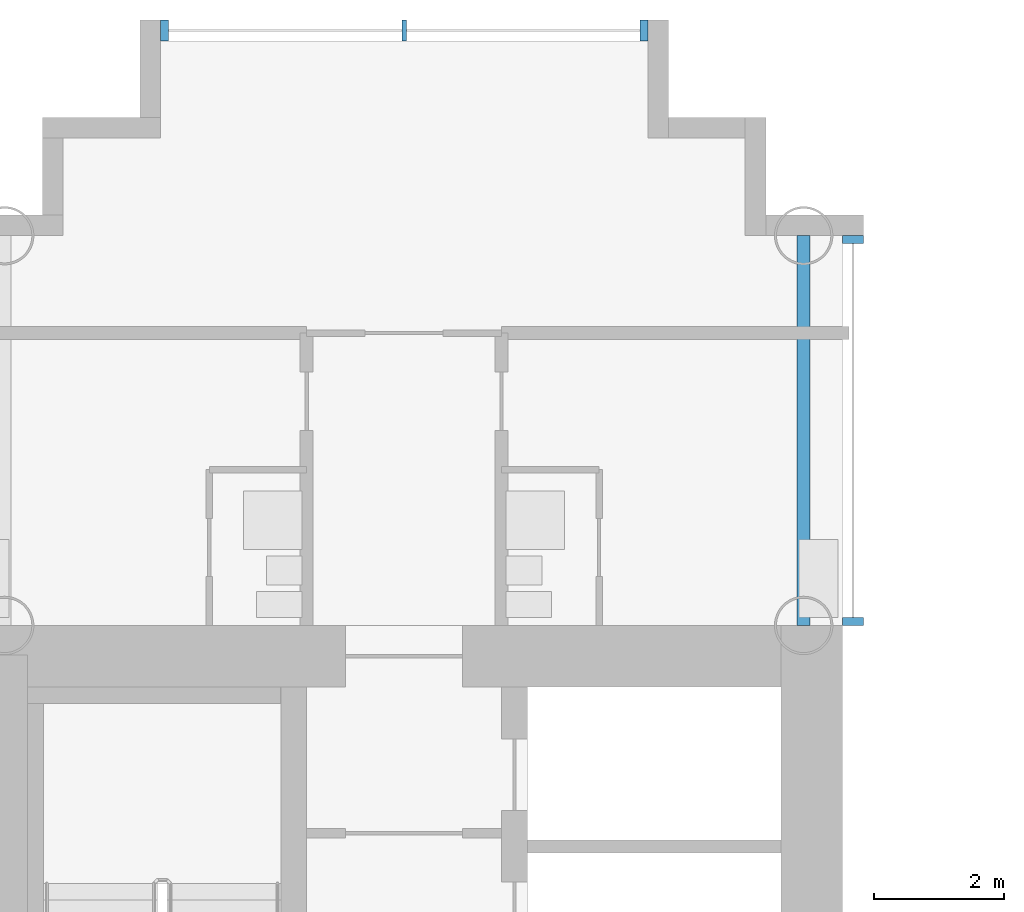
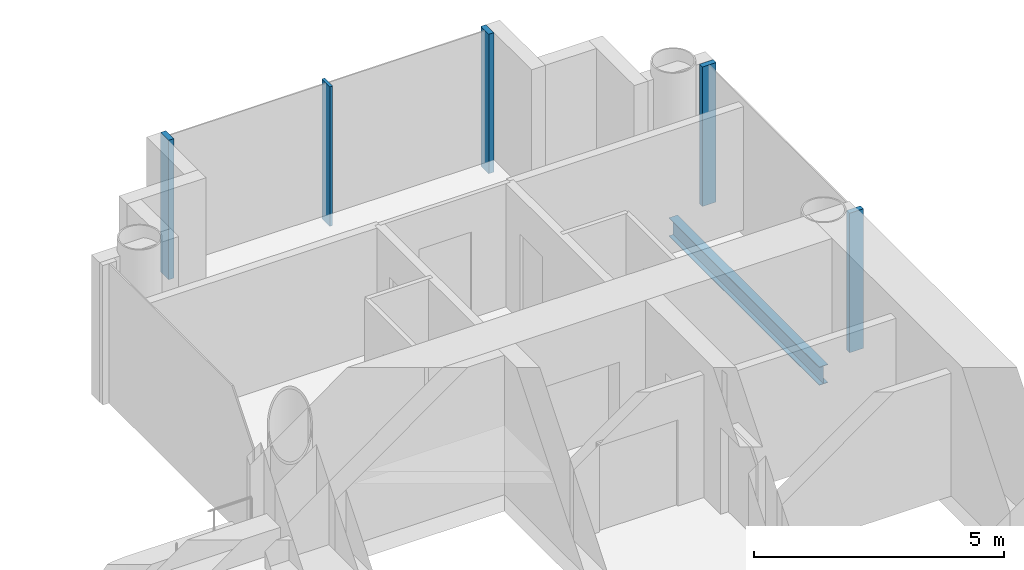
# One storey, part 6 of 21: 5 members, 1 beam, 2 elements without a shape of their own.
"""IFC4 building model written with IfcOpenShell, lengths in metres."""

from ifc_helpers import new_model, si_unit, direction, frame, origin, origin_2d, place, context, subcontext, project, spatial, rectangle, i_section, extrude, material, layer, layer_set, material_profile, profile_set, type_object, element, aggregate, save


model = new_model("IFC4")

# Units and contexts
model_context = context("Model", 3, precision=1e-05, world=origin(), true_north=direction((0.0, 1.0)))
body_context = subcontext(model_context, "Body", "Model", "MODEL_VIEW")
ifc_project = project(units=[si_unit("LENGTHUNIT", "METRE"), si_unit("AREAUNIT", "SQUARE_METRE"), si_unit("VOLUMEUNIT", "CUBIC_METRE"), si_unit("PLANEANGLEUNIT", "RADIAN"), si_unit("MASSUNIT", "GRAM", prefix="KILO")], contexts=[model_context])

# Site, building, storey
site_placement = place(None, origin())
site = spatial("IfcSite", under=ifc_project, at=site_placement, CompositionType="ELEMENT")
building_placement = place(site_placement, origin())
building = spatial("IfcBuilding", under=site, at=building_placement, Name="Ipe Terrace Towers", CompositionType="ELEMENT")
storey_placement = place(building_placement, frame((0.0, 0.0, 103.800048828125)))
storey = spatial("IfcBuildingStorey", under=building, at=storey_placement, Name="L28", CompositionType="ELEMENT", Elevation=103.800048828125)

# Beam
ifc_material_1 = material(Name="Steel S355", Category="steel")
ifc_material_profile_1 = material_profile(ifc_material_1, i_section(OverallWidth=0.199951171875, OverallDepth=0.449951171875, WebThickness=0.009033203125, FlangeThickness=0.013916015625, at=origin_2d()), Name="H-450x200x9x14")
ifc_profile_set_1 = profile_set([ifc_material_profile_1], Name="Steel S355")
beam_type = type_object("IfcBeamType", Name="H08 EDGE BEAM H-450x200x9x14", PredefinedType="BEAM", material=ifc_profile_set_1)
beam_placement = place(storey_placement, frame((42.14990234375, 15.75, -0.625), z_axis=(0.0, 1.0, 0.0), x_axis=(-1.0, 0.0, 0.0)))
element("IfcBeam", 1, at=beam_placement, inside=storey, type_object=beam_type, Name="Edge beam T2-EB-A01-A03", PredefinedType="BEAM", context=body_context, shape_type="SweptSolid", body=[
    extrude(i_section(OverallWidth=0.199951171875, OverallDepth=0.449951171875, WebThickness=0.009033203125, FlangeThickness=0.013916015625, at=origin_2d()), origin(), (0.0, 0.0, 1.0), 6.0),
])

# Curtain wall, members
ifc_material_2 = material(Name="Aluminium alloy 6063-T6", Category="aluminium")
ifc_layer = layer(ifc_material_2, 0.320068359375)
ifc_layer_set = layer_set([ifc_layer], Name="TOWER UNITISED CURTAIN WALL")
curtain_wall_type = type_object("IfcCurtainWallType", Name="TOWER UNITISED CURTAIN WALL", PredefinedType="NOTDEFINED", material=ifc_layer_set)
curtain_wall_1_placement = place(storey_placement, origin())
curtain_wall_1 = element("IfcCurtainWall", 2, at=curtain_wall_1_placement, inside=storey, type_object=curtain_wall_type, Name="T2-CW-L28-16b curtain wall", PredefinedType="NOTDEFINED")
ifc_material_3 = material(Name="Aluminium alloy 6063-T6", Category="aluminium")
ifc_material_profile_2 = material_profile(ifc_material_3, rectangle(XDim=0.320068359375, YDim=0.1201171875, at=origin_2d()), Name="TOWER UNITISED CORNER MULLION 320 x 120")
ifc_profile_set_2 = profile_set([ifc_material_profile_2], Name="Aluminium alloy 6063-T6")
member_type_1 = type_object("IfcMemberType", Name="TOWER UNITISED CORNER MULLION 320 x 120", PredefinedType="MULLION", material=ifc_profile_set_2)
member_1_placement = place(storey_placement, frame((42.909912109375, 15.81103515625, -0.300048828125), z_axis=(0.0, 0.0, 1.0), x_axis=(1.0, 0.0, 0.0)))
member_1 = element("IfcMember", 3, at=member_1_placement, type_object=member_type_1, Name="T2-CW-L28-16b mullion 1", PredefinedType="MULLION", context=body_context, shape_type="SweptSolid", body=[
    extrude(rectangle(XDim=0.320068359375, YDim=0.1201171875, at=origin_2d()), origin(), (0.0, 0.0, 1.0), 3.39990234375),
])
member_2_placement = place(storey_placement, frame((42.909912109375, 21.68994140625, -0.300048828125), z_axis=(0.0, 0.0, 1.0), x_axis=(1.0, 0.0, 0.0)))
member_2 = element("IfcMember", 4, at=member_2_placement, type_object=member_type_1, Name="T2-CW-L28-16b mullion 2", PredefinedType="MULLION", context=body_context, shape_type="SweptSolid", body=[
    extrude(rectangle(XDim=0.320068359375, YDim=0.1201171875, at=origin_2d()), origin(), (0.0, 0.0, 1.0), 3.39990234375),
])
aggregate(curtain_wall_1, [member_1, member_2])

curtain_wall_2_placement = place(storey_placement, origin())
curtain_wall_2 = element("IfcCurtainWall", 5, at=curtain_wall_2_placement, inside=storey, type_object=curtain_wall_type, Name="T2-CW-L28-21a curtain wall", PredefinedType="NOTDEFINED")
member_3_placement = place(storey_placement, frame((39.68994140625, 24.909912109375, -0.300048828125), z_axis=(0.0, 0.0, 1.0), x_axis=(0.0, 1.0, 0.0)))
member_3 = element("IfcMember", 6, at=member_3_placement, type_object=member_type_1, Name="T2-CW-L28-21a mullion 1", PredefinedType="MULLION", context=body_context, shape_type="SweptSolid", body=[
    extrude(rectangle(XDim=0.320068359375, YDim=0.1201171875, at=origin_2d()), origin(), (0.0, 0.0, 1.0), 3.39990234375),
])
member_4_placement = place(storey_placement, frame((32.31005859375, 24.909912109375, -0.300048828125), z_axis=(0.0, 0.0, 1.0), x_axis=(0.0, 1.0, 0.0)))
member_4 = element("IfcMember", 7, at=member_4_placement, type_object=member_type_1, Name="T2-CW-L28-21a mullion 3", PredefinedType="MULLION", context=body_context, shape_type="SweptSolid", body=[
    extrude(rectangle(XDim=0.320068359375, YDim=0.1201171875, at=origin_2d()), origin(), (0.0, 0.0, 1.0), 3.39990234375),
])
ifc_material_4 = material(Name="Aluminium alloy 6063-T6", Category="aluminium")
ifc_material_profile_3 = material_profile(ifc_material_4, rectangle(XDim=0.320068359375, YDim=0.06494140625, at=origin_2d()), Name="TOWER UNITISED MULLION 320 x 65")
ifc_profile_set_3 = profile_set([ifc_material_profile_3], Name="Aluminium alloy 6063-T6")
member_type_2 = type_object("IfcMemberType", Name="TOWER UNITISED MULLION 320 x 65", PredefinedType="MULLION", material=ifc_profile_set_3)
member_5_placement = place(storey_placement, frame((36.0, 24.909912109375, -0.300048828125), z_axis=(0.0, 0.0, 1.0), x_axis=(0.0, 1.0, 0.0)))
member_5 = element("IfcMember", 8, at=member_5_placement, type_object=member_type_2, Name="T2-CW-L28-21a mullion 2", PredefinedType="MULLION", context=body_context, shape_type="SweptSolid", body=[
    extrude(rectangle(XDim=0.320068359375, YDim=0.06494140625, at=origin_2d()), origin(), (0.0, 0.0, 1.0), 3.39990234375),
])
aggregate(curtain_wall_2, [member_3, member_5, member_4])

save(model, "model.ifc")
